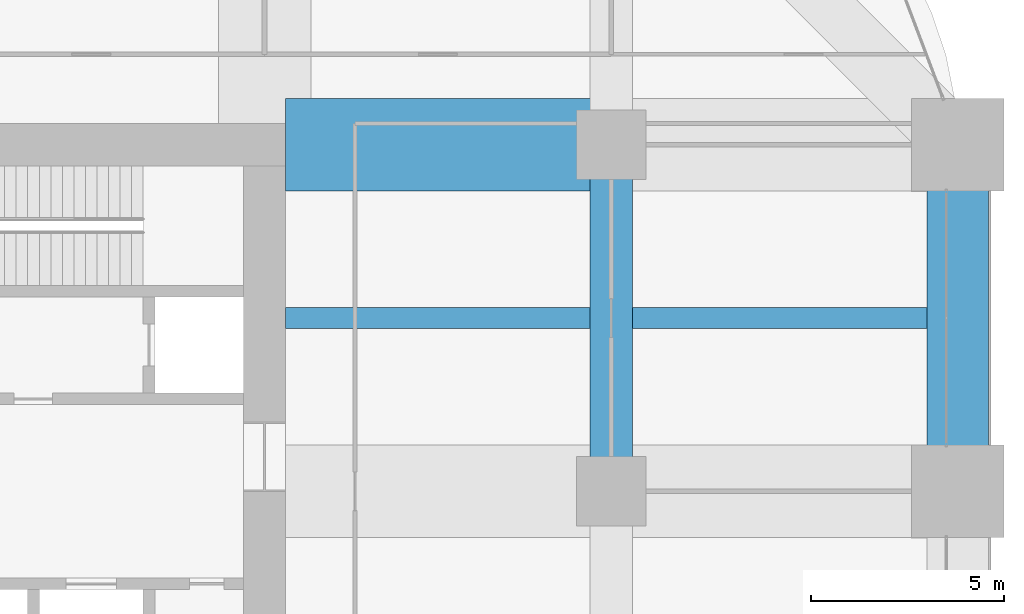
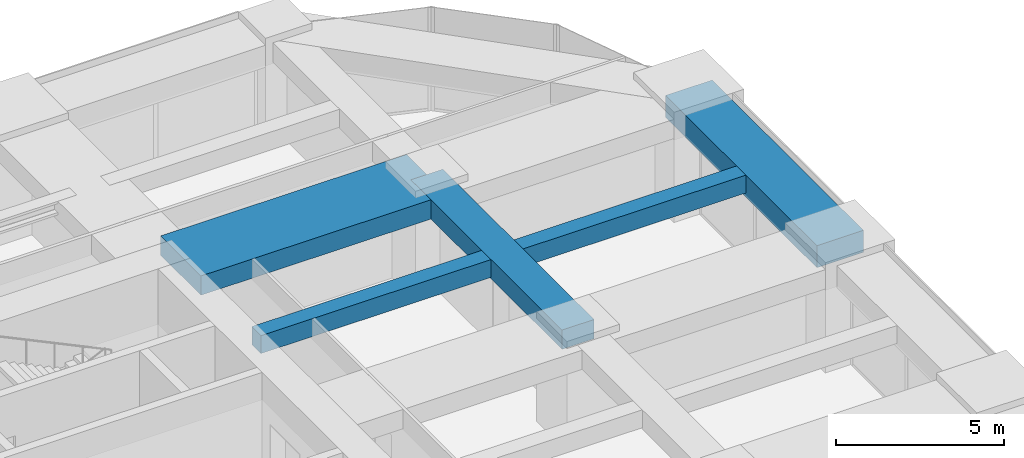
# One storey, part 32 of 43: 5 beams.
"""IFC4 building model written with IfcOpenShell, lengths in metres."""

from ifc_helpers import new_model, si_unit, direction, frame, origin, origin_2d, place, context, subcontext, project, spatial, rectangle, extrude, material, material_profile, profile_set, type_object, element, save


model = new_model("IFC4")

# Units and contexts
model_context = context("Model", 3, precision=1e-05, world=origin(), true_north=direction((0.0, 1.0)))
body_context = subcontext(model_context, "Body", "Model", "MODEL_VIEW")
ifc_project = project(units=[si_unit("LENGTHUNIT", "METRE"), si_unit("AREAUNIT", "SQUARE_METRE"), si_unit("VOLUMEUNIT", "CUBIC_METRE"), si_unit("PLANEANGLEUNIT", "RADIAN"), si_unit("MASSUNIT", "GRAM", prefix="KILO")], contexts=[model_context])

# Site, building, storey
site_placement = place(None, origin())
site = spatial("IfcSite", under=ifc_project, at=site_placement, CompositionType="ELEMENT")
building_placement = place(site_placement, origin())
building = spatial("IfcBuilding", under=site, at=building_placement, Name="Zorevar Civic Tower", CompositionType="ELEMENT")
storey_placement = place(building_placement, frame((0.0, 0.0, 141.0)))
storey = spatial("IfcBuildingStorey", under=building, at=storey_placement, Name="L34", CompositionType="ELEMENT", Elevation=141.0)

# Beams
ifc_material_1 = material(Name="Concrete C50/60", Category="concrete")
ifc_material_profile_1 = material_profile(ifc_material_1, rectangle(XDim=1.10009765625, YDim=0.699951171875, at=origin_2d()), Name="RC 1100x700")
ifc_profile_set_1 = profile_set([ifc_material_profile_1], Name="Concrete C50/60")
beam_type_1 = type_object("IfcBeamType", Name="Beam RC 1100x700", PredefinedType="BEAM", material=ifc_profile_set_1)
beam_1_placement = place(storey_placement, frame((54.0, 27.0, 3.39990234375), z_axis=(0.0, 1.0, 0.0), x_axis=(-1.0, 0.0, 0.0)))
element("IfcBeam", 1, at=beam_1_placement, inside=storey, type_object=beam_type_1, Name="Girder L35", PredefinedType="BEAM", context=body_context, shape_type="SweptSolid", body=[
    extrude(rectangle(XDim=1.10009765625, YDim=0.699951171875, at=origin_2d()), origin(), (0.0, 0.0, 1.0), 9.0),
])
ifc_material_2 = material(Name="Concrete C50/60", Category="concrete")
ifc_material_profile_2 = material_profile(ifc_material_2, rectangle(XDim=2.39990234375, YDim=0.699951171875, at=origin_2d()), Name="RC 2400x700")
ifc_profile_set_2 = profile_set([ifc_material_profile_2], Name="Concrete C50/60")
beam_type_2 = type_object("IfcBeamType", Name="Beam RC 2400x700", PredefinedType="BEAM", material=ifc_profile_set_2)
beam_2_placement = place(storey_placement, frame((45.550048828125, 36.0, 3.39990234375), z_axis=(1.0, 0.0, 0.0), x_axis=(0.0, 1.0, 0.0)))
element("IfcBeam", 2, at=beam_2_placement, inside=storey, type_object=beam_type_2, Name="Girder L35", PredefinedType="BEAM", context=body_context, shape_type="SweptSolid", body=[
    extrude(rectangle(XDim=2.39990234375, YDim=0.699951171875, at=origin_2d()), origin(), (0.0, 0.0, 1.0), 8.449951171875),
])
ifc_material_3 = material(Name="Concrete C50/60", Category="concrete")
ifc_material_profile_3 = material_profile(ifc_material_3, rectangle(XDim=0.550048828125, YDim=0.64990234375, at=origin_2d()), Name="RC 550x650")
ifc_profile_set_3 = profile_set([ifc_material_profile_3], Name="Concrete C50/60")
beam_type_3 = type_object("IfcBeamType", Name="Beam RC 550x650", PredefinedType="BEAM", material=ifc_profile_set_3)
beam_3_placement = place(storey_placement, frame((45.550048828125, 31.5, 3.425048828125), z_axis=(1.0, 0.0, 0.0), x_axis=(0.0, 1.0, 0.0)))
element("IfcBeam", 3, at=beam_3_placement, inside=storey, type_object=beam_type_3, Name="Secondary beam L35", PredefinedType="BEAM", context=body_context, shape_type="SweptSolid", body=[
    extrude(rectangle(XDim=0.550048828125, YDim=0.64990234375, at=origin_2d()), origin(), (0.0, 0.0, 1.0), 7.89990234375),
])
beam_4_placement = place(storey_placement, frame((54.550048828125, 31.5, 3.425048828125), z_axis=(1.0, 0.0, 0.0), x_axis=(0.0, 1.0, 0.0)))
element("IfcBeam", 4, at=beam_4_placement, inside=storey, type_object=beam_type_3, Name="Secondary beam L35", PredefinedType="BEAM", context=body_context, shape_type="SweptSolid", body=[
    extrude(rectangle(XDim=0.550048828125, YDim=0.64990234375, at=origin_2d()), origin(), (0.0, 0.0, 1.0), 7.64990234375),
])
ifc_material_4 = material(Name="Concrete C50/60", Category="concrete")
ifc_material_profile_4 = material_profile(ifc_material_4, rectangle(XDim=1.60009765625, YDim=0.800048828125, at=origin_2d()), Name="RC 1600x800")
ifc_profile_set_4 = profile_set([ifc_material_profile_4], Name="Concrete C50/60")
beam_type_4 = type_object("IfcBeamType", Name="Edge beam RC 1600x800", PredefinedType="SPANDREL", material=ifc_profile_set_4)
beam_5_placement = place(storey_placement, frame((63.0, 27.0, 3.35009765625), z_axis=(0.0, 1.0, 0.0), x_axis=(-1.0, 0.0, 0.0)))
element("IfcBeam", 5, at=beam_5_placement, inside=storey, type_object=beam_type_4, Name="Edge beam L35", PredefinedType="SPANDREL", context=body_context, shape_type="SweptSolid", body=[
    extrude(rectangle(XDim=1.60009765625, YDim=0.800048828125, at=origin_2d()), origin(), (0.0, 0.0, 1.0), 9.0),
])

save(model, "model.ifc")
